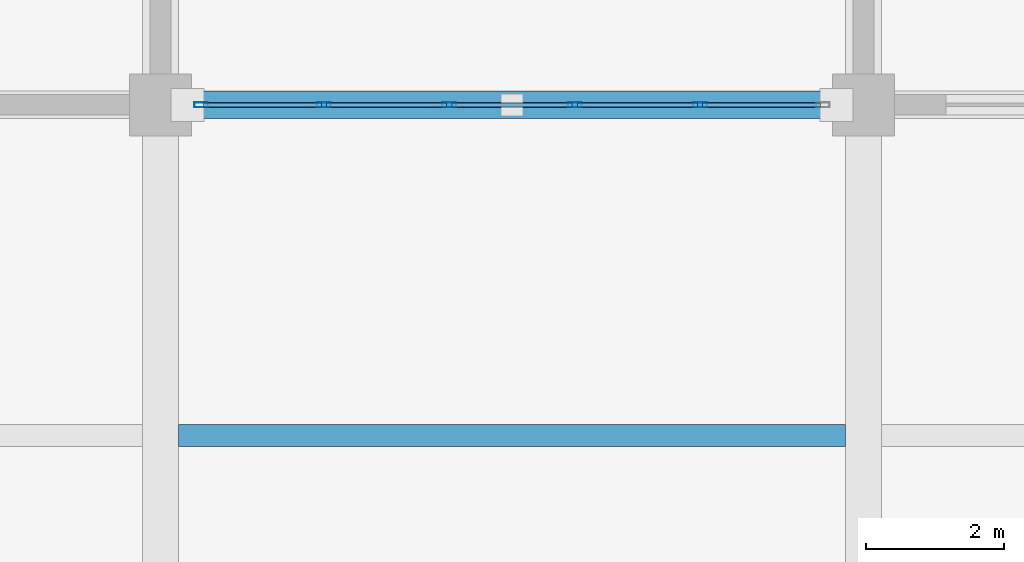
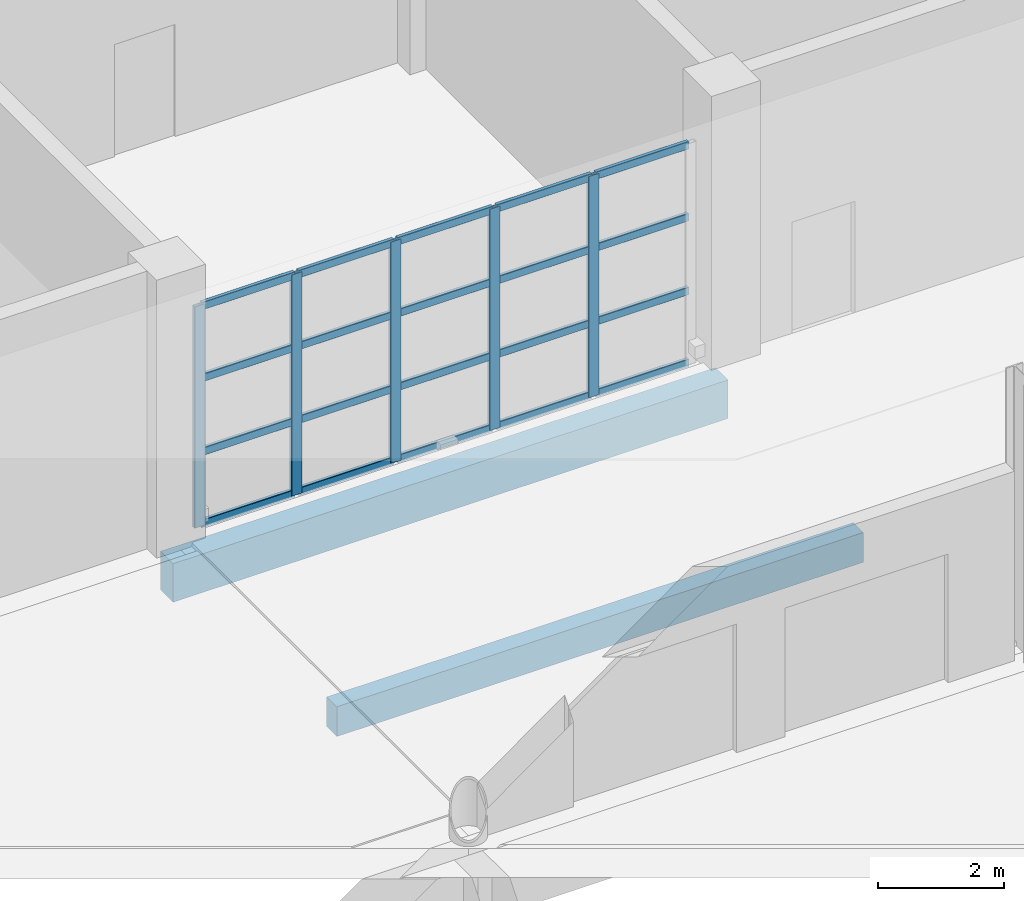
# One storey, part 38 of 124: 25 members, 2 beams, 1 element without a shape of its own.
"""IFC4 building model written with IfcOpenShell, lengths in metres."""

from ifc_helpers import new_model, si_unit, direction, frame, origin, origin_2d, place, context, subcontext, project, spatial, rectangle, hollow_rectangle, extrude, material, material_profile, profile_set, type_object, element, aggregate, save


model = new_model("IFC4")

# Units and contexts
model_context = context("Model", 3, precision=1e-05, world=origin(), true_north=direction((0.0, 1.0)))
body_context = subcontext(model_context, "Body", "Model", "MODEL_VIEW")
ifc_project = project(units=[si_unit("LENGTHUNIT", "METRE"), si_unit("AREAUNIT", "SQUARE_METRE"), si_unit("VOLUMEUNIT", "CUBIC_METRE"), si_unit("PLANEANGLEUNIT", "RADIAN"), si_unit("MASSUNIT", "GRAM", prefix="KILO")], contexts=[model_context])

# Site, building, storey
site_placement = place(None, origin())
site = spatial("IfcSite", under=ifc_project, at=site_placement, CompositionType="ELEMENT")
building_placement = place(site_placement, origin())
building = spatial("IfcBuilding", under=site, at=building_placement, Name="Brelvane Convention Centre", CompositionType="ELEMENT")
storey_placement = place(building_placement, origin())
storey = spatial("IfcBuildingStorey", under=building, at=storey_placement, Name="L00", CompositionType="ELEMENT", Elevation=0.0)

# Curtain wall, members
ifc_material_1 = material(Name="Anodised Aluminium Alloy 6063-T6", Category="aluminium")
curtain_wall_type = type_object("IfcCurtainWallType", Name="Curtain Wall CW-COURT", PredefinedType="USERDEFINED", material=ifc_material_1)
curtain_wall_placement = place(storey_placement, origin())
curtain_wall = element("IfcCurtainWall", 1, at=curtain_wall_placement, inside=storey, type_object=curtain_wall_type, Name="Curtain Wall CW-COURT L00-V4S-03", ObjectType="UNITISED", PredefinedType="USERDEFINED")
ifc_material_2 = material(Name="Anodised Aluminium Alloy 6063-T6", Category="aluminium")
ifc_material_profile_1 = material_profile(ifc_material_2, hollow_rectangle(XDim=0.074951171875, YDim=0.199951171875, WallThickness=0.0048828125, InnerFilletRadius=0.0048828125, OuterFilletRadius=0.010009765625, at=origin_2d()), Name="ALU-M 200x75x5.0")
ifc_profile_set_1 = profile_set([ifc_material_profile_1], Name="Anodised Aluminium Alloy 6063-T6")
member_type_1 = type_object("IfcMemberType", Name="Curtain Mullion CW-M2", PredefinedType="MULLION", material=ifc_profile_set_1)
member_1_placement = place(storey_placement, frame((20.987548828125, 109.199951171875, 0.0), z_axis=(0.0, 0.0, 1.0), x_axis=(0.0, 1.0, 0.0)))
member_1 = element("IfcMember", 2, at=member_1_placement, type_object=member_type_1, Name="CW-COURT mullion 1", PredefinedType="MULLION", context=body_context, shape_type="SweptSolid", body=[
    extrude(hollow_rectangle(XDim=0.074951171875, YDim=0.199951171875, WallThickness=0.0048828125, InnerFilletRadius=0.0048828125, OuterFilletRadius=0.010009765625, at=origin_2d()), origin(), (0.0, 0.0, 1.0), 4.300048828125),
])
member_2_placement = place(storey_placement, frame((22.77001953125, 109.199951171875, 0.0), z_axis=(0.0, 0.0, 1.0), x_axis=(0.0, 1.0, 0.0)))
member_2 = element("IfcMember", 3, at=member_2_placement, type_object=member_type_1, Name="CW-COURT mullion 2", PredefinedType="MULLION", context=body_context, shape_type="SweptSolid", body=[
    extrude(hollow_rectangle(XDim=0.074951171875, YDim=0.199951171875, WallThickness=0.0048828125, InnerFilletRadius=0.0048828125, OuterFilletRadius=0.010009765625, at=origin_2d()), origin(), (0.0, 0.0, 1.0), 4.300048828125),
])
member_3_placement = place(storey_placement, frame((24.590087890625, 109.199951171875, 0.0), z_axis=(0.0, 0.0, 1.0), x_axis=(0.0, 1.0, 0.0)))
member_3 = element("IfcMember", 4, at=member_3_placement, type_object=member_type_1, Name="CW-COURT mullion 3", PredefinedType="MULLION", context=body_context, shape_type="SweptSolid", body=[
    extrude(hollow_rectangle(XDim=0.074951171875, YDim=0.199951171875, WallThickness=0.0048828125, InnerFilletRadius=0.0048828125, OuterFilletRadius=0.010009765625, at=origin_2d()), origin(), (0.0, 0.0, 1.0), 4.300048828125),
])
member_4_placement = place(storey_placement, frame((26.409912109375, 109.199951171875, 0.0), z_axis=(0.0, 0.0, 1.0), x_axis=(0.0, 1.0, 0.0)))
member_4 = element("IfcMember", 5, at=member_4_placement, type_object=member_type_1, Name="CW-COURT mullion 4", PredefinedType="MULLION", context=body_context, shape_type="SweptSolid", body=[
    extrude(hollow_rectangle(XDim=0.074951171875, YDim=0.199951171875, WallThickness=0.0048828125, InnerFilletRadius=0.0048828125, OuterFilletRadius=0.010009765625, at=origin_2d()), origin(), (0.0, 0.0, 1.0), 4.300048828125),
])
member_5_placement = place(storey_placement, frame((28.22998046875, 109.199951171875, 0.0), z_axis=(0.0, 0.0, 1.0), x_axis=(0.0, 1.0, 0.0)))
member_5 = element("IfcMember", 6, at=member_5_placement, type_object=member_type_1, Name="CW-COURT mullion 5", PredefinedType="MULLION", context=body_context, shape_type="SweptSolid", body=[
    extrude(hollow_rectangle(XDim=0.074951171875, YDim=0.199951171875, WallThickness=0.0048828125, InnerFilletRadius=0.0048828125, OuterFilletRadius=0.010009765625, at=origin_2d()), origin(), (0.0, 0.0, 1.0), 4.300048828125),
])
ifc_material_3 = material(Name="Anodised Aluminium Alloy 6063-T6", Category="aluminium")
ifc_material_profile_2 = material_profile(ifc_material_3, hollow_rectangle(XDim=0.070068359375, YDim=0.14990234375, WallThickness=0.00439453125, InnerFilletRadius=0.00439453125, OuterFilletRadius=0.009033203125, at=origin_2d()), Name="ALU-T 150x70x4.5")
ifc_profile_set_2 = profile_set([ifc_material_profile_2], Name="Anodised Aluminium Alloy 6063-T6")
member_type_2 = type_object("IfcMemberType", Name="Curtain Transom CW-T2", PredefinedType="USERDEFINED", material=ifc_profile_set_2)
member_6_placement = place(storey_placement, frame((21.02490234375, 109.199951171875, 0.034912109375), z_axis=(1.0, 0.0, 0.0), x_axis=(0.0, 1.0, 0.0)))
member_6 = element("IfcMember", 7, at=member_6_placement, type_object=member_type_2, Name="CW-COURT transom 1.1", ObjectType="TRANSOM", PredefinedType="USERDEFINED", context=body_context, shape_type="SweptSolid", body=[
    extrude(hollow_rectangle(XDim=0.070068359375, YDim=0.14990234375, WallThickness=0.00439453125, InnerFilletRadius=0.00439453125, OuterFilletRadius=0.009033203125, at=origin_2d()), origin(), (0.0, 0.0, 1.0), 1.70751953125),
])
member_7_placement = place(storey_placement, frame((21.02490234375, 109.199951171875, 1.433349609375), z_axis=(1.0, 0.0, 0.0), x_axis=(0.0, 1.0, 0.0)))
member_7 = element("IfcMember", 8, at=member_7_placement, type_object=member_type_2, Name="CW-COURT transom 1.2", ObjectType="TRANSOM", PredefinedType="USERDEFINED", context=body_context, shape_type="SweptSolid", body=[
    extrude(hollow_rectangle(XDim=0.070068359375, YDim=0.14990234375, WallThickness=0.00439453125, InnerFilletRadius=0.00439453125, OuterFilletRadius=0.009033203125, at=origin_2d()), origin(), (0.0, 0.0, 1.0), 1.70751953125),
])
member_8_placement = place(storey_placement, frame((21.02490234375, 109.199951171875, 2.86669921875), z_axis=(1.0, 0.0, 0.0), x_axis=(0.0, 1.0, 0.0)))
member_8 = element("IfcMember", 9, at=member_8_placement, type_object=member_type_2, Name="CW-COURT transom 1.3", ObjectType="TRANSOM", PredefinedType="USERDEFINED", context=body_context, shape_type="SweptSolid", body=[
    extrude(hollow_rectangle(XDim=0.070068359375, YDim=0.14990234375, WallThickness=0.00439453125, InnerFilletRadius=0.00439453125, OuterFilletRadius=0.009033203125, at=origin_2d()), origin(), (0.0, 0.0, 1.0), 1.70751953125),
])
member_9_placement = place(storey_placement, frame((21.02490234375, 109.199951171875, 4.264892578125), z_axis=(1.0, 0.0, 0.0), x_axis=(0.0, 1.0, 0.0)))
member_9 = element("IfcMember", 10, at=member_9_placement, type_object=member_type_2, Name="CW-COURT transom 1.4", ObjectType="TRANSOM", PredefinedType="USERDEFINED", context=body_context, shape_type="SweptSolid", body=[
    extrude(hollow_rectangle(XDim=0.070068359375, YDim=0.14990234375, WallThickness=0.00439453125, InnerFilletRadius=0.00439453125, OuterFilletRadius=0.009033203125, at=origin_2d()), origin(), (0.0, 0.0, 1.0), 1.70751953125),
])
member_10_placement = place(storey_placement, frame((22.8076171875, 109.199951171875, 0.034912109375), z_axis=(1.0, 0.0, 0.0), x_axis=(0.0, 1.0, 0.0)))
member_10 = element("IfcMember", 11, at=member_10_placement, type_object=member_type_2, Name="CW-COURT transom 2.1", ObjectType="TRANSOM", PredefinedType="USERDEFINED", context=body_context, shape_type="SweptSolid", body=[
    extrude(hollow_rectangle(XDim=0.070068359375, YDim=0.14990234375, WallThickness=0.00439453125, InnerFilletRadius=0.00439453125, OuterFilletRadius=0.009033203125, at=origin_2d()), origin(), (0.0, 0.0, 1.0), 1.744873046875),
])
member_11_placement = place(storey_placement, frame((22.8076171875, 109.199951171875, 1.433349609375), z_axis=(1.0, 0.0, 0.0), x_axis=(0.0, 1.0, 0.0)))
member_11 = element("IfcMember", 12, at=member_11_placement, type_object=member_type_2, Name="CW-COURT transom 2.2", ObjectType="TRANSOM", PredefinedType="USERDEFINED", context=body_context, shape_type="SweptSolid", body=[
    extrude(hollow_rectangle(XDim=0.070068359375, YDim=0.14990234375, WallThickness=0.00439453125, InnerFilletRadius=0.00439453125, OuterFilletRadius=0.009033203125, at=origin_2d()), origin(), (0.0, 0.0, 1.0), 1.744873046875),
])
member_12_placement = place(storey_placement, frame((22.8076171875, 109.199951171875, 2.86669921875), z_axis=(1.0, 0.0, 0.0), x_axis=(0.0, 1.0, 0.0)))
member_12 = element("IfcMember", 13, at=member_12_placement, type_object=member_type_2, Name="CW-COURT transom 2.3", ObjectType="TRANSOM", PredefinedType="USERDEFINED", context=body_context, shape_type="SweptSolid", body=[
    extrude(hollow_rectangle(XDim=0.070068359375, YDim=0.14990234375, WallThickness=0.00439453125, InnerFilletRadius=0.00439453125, OuterFilletRadius=0.009033203125, at=origin_2d()), origin(), (0.0, 0.0, 1.0), 1.744873046875),
])
member_13_placement = place(storey_placement, frame((22.8076171875, 109.199951171875, 4.264892578125), z_axis=(1.0, 0.0, 0.0), x_axis=(0.0, 1.0, 0.0)))
member_13 = element("IfcMember", 14, at=member_13_placement, type_object=member_type_2, Name="CW-COURT transom 2.4", ObjectType="TRANSOM", PredefinedType="USERDEFINED", context=body_context, shape_type="SweptSolid", body=[
    extrude(hollow_rectangle(XDim=0.070068359375, YDim=0.14990234375, WallThickness=0.00439453125, InnerFilletRadius=0.00439453125, OuterFilletRadius=0.009033203125, at=origin_2d()), origin(), (0.0, 0.0, 1.0), 1.744873046875),
])
member_14_placement = place(storey_placement, frame((24.62744140625, 109.199951171875, 0.034912109375), z_axis=(1.0, 0.0, 0.0), x_axis=(0.0, 1.0, 0.0)))
member_14 = element("IfcMember", 15, at=member_14_placement, type_object=member_type_2, Name="CW-COURT transom 3.1", ObjectType="TRANSOM", PredefinedType="USERDEFINED", context=body_context, shape_type="SweptSolid", body=[
    extrude(hollow_rectangle(XDim=0.070068359375, YDim=0.14990234375, WallThickness=0.00439453125, InnerFilletRadius=0.00439453125, OuterFilletRadius=0.009033203125, at=origin_2d()), origin(), (0.0, 0.0, 1.0), 1.7451171875),
])
member_15_placement = place(storey_placement, frame((24.62744140625, 109.199951171875, 1.433349609375), z_axis=(1.0, 0.0, 0.0), x_axis=(0.0, 1.0, 0.0)))
member_15 = element("IfcMember", 16, at=member_15_placement, type_object=member_type_2, Name="CW-COURT transom 3.2", ObjectType="TRANSOM", PredefinedType="USERDEFINED", context=body_context, shape_type="SweptSolid", body=[
    extrude(hollow_rectangle(XDim=0.070068359375, YDim=0.14990234375, WallThickness=0.00439453125, InnerFilletRadius=0.00439453125, OuterFilletRadius=0.009033203125, at=origin_2d()), origin(), (0.0, 0.0, 1.0), 1.7451171875),
])
member_16_placement = place(storey_placement, frame((24.62744140625, 109.199951171875, 2.86669921875), z_axis=(1.0, 0.0, 0.0), x_axis=(0.0, 1.0, 0.0)))
member_16 = element("IfcMember", 17, at=member_16_placement, type_object=member_type_2, Name="CW-COURT transom 3.3", ObjectType="TRANSOM", PredefinedType="USERDEFINED", context=body_context, shape_type="SweptSolid", body=[
    extrude(hollow_rectangle(XDim=0.070068359375, YDim=0.14990234375, WallThickness=0.00439453125, InnerFilletRadius=0.00439453125, OuterFilletRadius=0.009033203125, at=origin_2d()), origin(), (0.0, 0.0, 1.0), 1.7451171875),
])
member_17_placement = place(storey_placement, frame((24.62744140625, 109.199951171875, 4.264892578125), z_axis=(1.0, 0.0, 0.0), x_axis=(0.0, 1.0, 0.0)))
member_17 = element("IfcMember", 18, at=member_17_placement, type_object=member_type_2, Name="CW-COURT transom 3.4", ObjectType="TRANSOM", PredefinedType="USERDEFINED", context=body_context, shape_type="SweptSolid", body=[
    extrude(hollow_rectangle(XDim=0.070068359375, YDim=0.14990234375, WallThickness=0.00439453125, InnerFilletRadius=0.00439453125, OuterFilletRadius=0.009033203125, at=origin_2d()), origin(), (0.0, 0.0, 1.0), 1.7451171875),
])
member_18_placement = place(storey_placement, frame((26.447509765625, 109.199951171875, 0.034912109375), z_axis=(1.0, 0.0, 0.0), x_axis=(0.0, 1.0, 0.0)))
member_18 = element("IfcMember", 19, at=member_18_placement, type_object=member_type_2, Name="CW-COURT transom 4.1", ObjectType="TRANSOM", PredefinedType="USERDEFINED", context=body_context, shape_type="SweptSolid", body=[
    extrude(hollow_rectangle(XDim=0.070068359375, YDim=0.14990234375, WallThickness=0.00439453125, InnerFilletRadius=0.00439453125, OuterFilletRadius=0.009033203125, at=origin_2d()), origin(), (0.0, 0.0, 1.0), 1.744873046875),
])
member_19_placement = place(storey_placement, frame((26.447509765625, 109.199951171875, 1.433349609375), z_axis=(1.0, 0.0, 0.0), x_axis=(0.0, 1.0, 0.0)))
member_19 = element("IfcMember", 20, at=member_19_placement, type_object=member_type_2, Name="CW-COURT transom 4.2", ObjectType="TRANSOM", PredefinedType="USERDEFINED", context=body_context, shape_type="SweptSolid", body=[
    extrude(hollow_rectangle(XDim=0.070068359375, YDim=0.14990234375, WallThickness=0.00439453125, InnerFilletRadius=0.00439453125, OuterFilletRadius=0.009033203125, at=origin_2d()), origin(), (0.0, 0.0, 1.0), 1.744873046875),
])
member_20_placement = place(storey_placement, frame((26.447509765625, 109.199951171875, 2.86669921875), z_axis=(1.0, 0.0, 0.0), x_axis=(0.0, 1.0, 0.0)))
member_20 = element("IfcMember", 21, at=member_20_placement, type_object=member_type_2, Name="CW-COURT transom 4.3", ObjectType="TRANSOM", PredefinedType="USERDEFINED", context=body_context, shape_type="SweptSolid", body=[
    extrude(hollow_rectangle(XDim=0.070068359375, YDim=0.14990234375, WallThickness=0.00439453125, InnerFilletRadius=0.00439453125, OuterFilletRadius=0.009033203125, at=origin_2d()), origin(), (0.0, 0.0, 1.0), 1.744873046875),
])
member_21_placement = place(storey_placement, frame((26.447509765625, 109.199951171875, 4.264892578125), z_axis=(1.0, 0.0, 0.0), x_axis=(0.0, 1.0, 0.0)))
member_21 = element("IfcMember", 22, at=member_21_placement, type_object=member_type_2, Name="CW-COURT transom 4.4", ObjectType="TRANSOM", PredefinedType="USERDEFINED", context=body_context, shape_type="SweptSolid", body=[
    extrude(hollow_rectangle(XDim=0.070068359375, YDim=0.14990234375, WallThickness=0.00439453125, InnerFilletRadius=0.00439453125, OuterFilletRadius=0.009033203125, at=origin_2d()), origin(), (0.0, 0.0, 1.0), 1.744873046875),
])
member_22_placement = place(storey_placement, frame((28.267578125, 109.199951171875, 0.034912109375), z_axis=(1.0, 0.0, 0.0), x_axis=(0.0, 1.0, 0.0)))
member_22 = element("IfcMember", 23, at=member_22_placement, type_object=member_type_2, Name="CW-COURT transom 5.1", ObjectType="TRANSOM", PredefinedType="USERDEFINED", context=body_context, shape_type="SweptSolid", body=[
    extrude(hollow_rectangle(XDim=0.070068359375, YDim=0.14990234375, WallThickness=0.00439453125, InnerFilletRadius=0.00439453125, OuterFilletRadius=0.009033203125, at=origin_2d()), origin(), (0.0, 0.0, 1.0), 1.70751953125),
])
member_23_placement = place(storey_placement, frame((28.267578125, 109.199951171875, 1.433349609375), z_axis=(1.0, 0.0, 0.0), x_axis=(0.0, 1.0, 0.0)))
member_23 = element("IfcMember", 24, at=member_23_placement, type_object=member_type_2, Name="CW-COURT transom 5.2", ObjectType="TRANSOM", PredefinedType="USERDEFINED", context=body_context, shape_type="SweptSolid", body=[
    extrude(hollow_rectangle(XDim=0.070068359375, YDim=0.14990234375, WallThickness=0.00439453125, InnerFilletRadius=0.00439453125, OuterFilletRadius=0.009033203125, at=origin_2d()), origin(), (0.0, 0.0, 1.0), 1.70751953125),
])
member_24_placement = place(storey_placement, frame((28.267578125, 109.199951171875, 2.86669921875), z_axis=(1.0, 0.0, 0.0), x_axis=(0.0, 1.0, 0.0)))
member_24 = element("IfcMember", 25, at=member_24_placement, type_object=member_type_2, Name="CW-COURT transom 5.3", ObjectType="TRANSOM", PredefinedType="USERDEFINED", context=body_context, shape_type="SweptSolid", body=[
    extrude(hollow_rectangle(XDim=0.070068359375, YDim=0.14990234375, WallThickness=0.00439453125, InnerFilletRadius=0.00439453125, OuterFilletRadius=0.009033203125, at=origin_2d()), origin(), (0.0, 0.0, 1.0), 1.70751953125),
])
member_25_placement = place(storey_placement, frame((28.267578125, 109.199951171875, 4.264892578125), z_axis=(1.0, 0.0, 0.0), x_axis=(0.0, 1.0, 0.0)))
member_25 = element("IfcMember", 26, at=member_25_placement, type_object=member_type_2, Name="CW-COURT transom 5.4", ObjectType="TRANSOM", PredefinedType="USERDEFINED", context=body_context, shape_type="SweptSolid", body=[
    extrude(hollow_rectangle(XDim=0.070068359375, YDim=0.14990234375, WallThickness=0.00439453125, InnerFilletRadius=0.00439453125, OuterFilletRadius=0.009033203125, at=origin_2d()), origin(), (0.0, 0.0, 1.0), 1.70751953125),
])
aggregate(curtain_wall, [member_1, member_2, member_3, member_4, member_5, member_6, member_7, member_8, member_9, member_10, member_11, member_12, member_13, member_14, member_15, member_16, member_17, member_18, member_19, member_20, member_21, member_22, member_23, member_24, member_25])

# Beams
ifc_material_4 = material(Name="Concrete M40", Category="concrete")
ifc_material_profile_3 = material_profile(ifc_material_4, rectangle(XDim=0.320068359375, YDim=0.580078125, at=origin_2d()), Name="RC 320x580")
ifc_profile_set_3 = profile_set([ifc_material_profile_3], Name="Concrete M40")
beam_type_1 = type_object("IfcBeamType", Name="RC Joist J-RC3 (RC 320x580)", PredefinedType="JOIST", material=ifc_profile_set_3)
beam_1_placement = place(storey_placement, frame((20.659912109375, 104.39990234375, -0.68994140625), z_axis=(1.0, 0.0, 0.0), x_axis=(0.0, 1.0, 0.0)))
element("IfcBeam", 27, at=beam_1_placement, inside=storey, type_object=beam_type_1, Name="L00 Secondary Joist 3-4/KL", PredefinedType="JOIST", context=body_context, shape_type="SweptSolid", body=[
    extrude(rectangle(XDim=0.320068359375, YDim=0.580078125, at=origin_2d()), origin(), (0.0, 0.0, 1.0), 9.68017578125),
])
ifc_material_5 = material(Name="Concrete M40", Category="concrete")
ifc_material_profile_4 = material_profile(ifc_material_5, rectangle(XDim=0.39990234375, YDim=0.75, at=origin_2d()), Name="RC 400x750")
ifc_profile_set_4 = profile_set([ifc_material_profile_4], Name="Concrete M40")
beam_type_2 = type_object("IfcBeamType", Name="RC Spandrel SP-RC1 (RC 400x750)", PredefinedType="SPANDREL", material=ifc_profile_set_4)
beam_2_placement = place(storey_placement, frame((20.39990234375, 109.199951171875, -0.7900390625), z_axis=(1.0, 0.0, 0.0), x_axis=(0.0, 1.0, 0.0)))
element("IfcBeam", 28, at=beam_2_placement, inside=storey, type_object=beam_type_2, Name="L00 Beam 3-4/L", PredefinedType="SPANDREL", context=body_context, shape_type="SweptSolid", body=[
    extrude(rectangle(XDim=0.39990234375, YDim=0.75, at=origin_2d()), origin(), (0.0, 0.0, 1.0), 10.2001953125),
])

save(model, "model.ifc")
